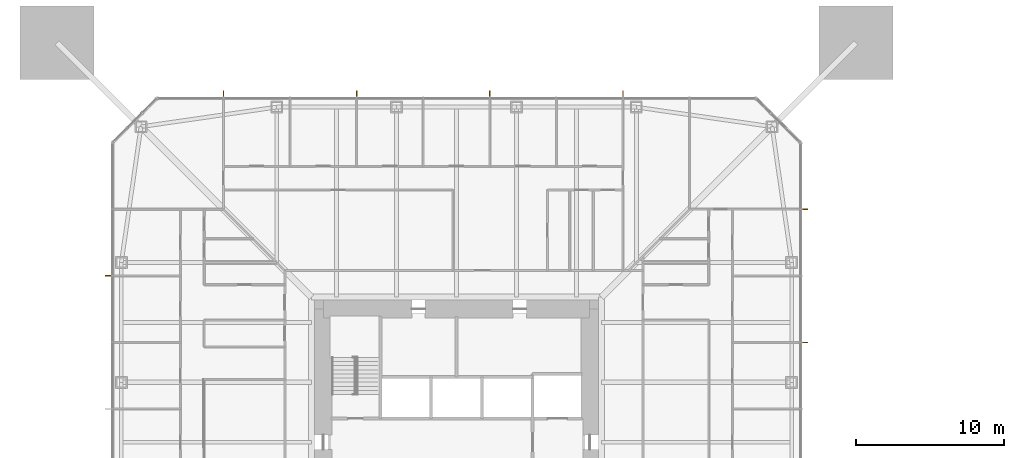
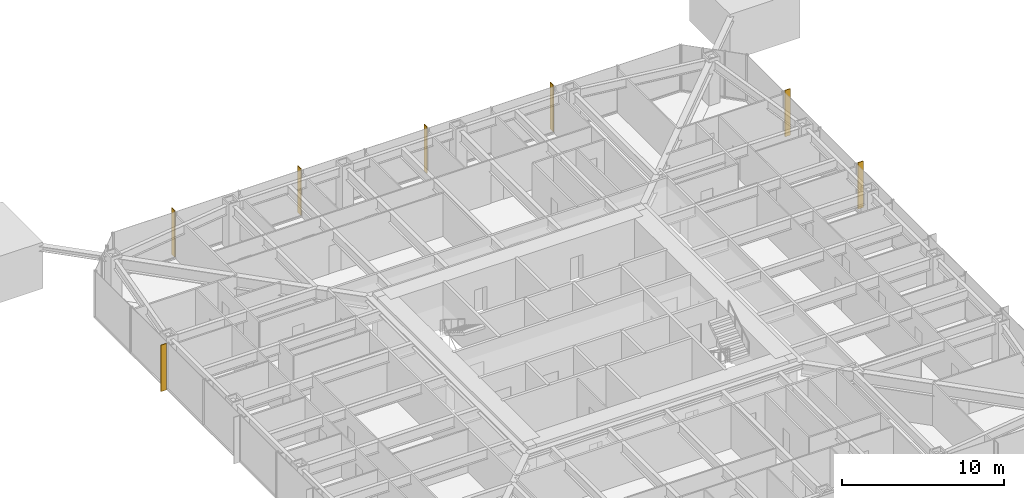
# One storey, part 25 of 26: 7 shading devices.
"""IFC4 building model written with IfcOpenShell, lengths in metres."""

from ifc_helpers import new_model, si_unit, direction, frame, origin, origin_2d, place, context, subcontext, project, spatial, rectangle, extrude, material, layer, layer_set, type_object, element, save


model = new_model("IFC4")

# Units and contexts
model_context = context("Model", 3, precision=1e-05, world=origin(), true_north=direction((0.0, 1.0)))
body_context = subcontext(model_context, "Body", "Model", "MODEL_VIEW")
ifc_project = project(units=[si_unit("LENGTHUNIT", "METRE"), si_unit("AREAUNIT", "SQUARE_METRE"), si_unit("VOLUMEUNIT", "CUBIC_METRE"), si_unit("PLANEANGLEUNIT", "RADIAN"), si_unit("MASSUNIT", "GRAM", prefix="KILO")], contexts=[model_context])

# Site, building, storey
site_placement = place(None, origin())
site = spatial("IfcSite", under=ifc_project, at=site_placement, CompositionType="ELEMENT")
building_placement = place(site_placement, origin())
building = spatial("IfcBuilding", under=site, at=building_placement, Name="Iwan Alto Co-Living Towers", CompositionType="ELEMENT")
storey_placement = place(building_placement, frame((0.0, 0.0, 29.0)))
storey = spatial("IfcBuildingStorey", under=building, at=storey_placement, Name="L07", CompositionType="ELEMENT", Elevation=29.0)

# Shading devices
ifc_material = material(Name="Aluminium 6063-T6 bronze anodised", Category="aluminium")
ifc_layer = layer(ifc_material, 0.050048828125)
ifc_layer_set = layer_set([ifc_layer], Name="BRONZE FIN 50X400")
shading_device_type = type_object("IfcShadingDeviceType", Name="BRONZE FIN 50X400", PredefinedType="USERDEFINED", material=ifc_layer_set)
for number, where, z_axis, x_axis, name in (
    (1, (23.550048828125, 6.75, 0.0), (0.0, 0.0, 1.0), (0.0, 1.0, 0.0), "Bronze fin L07"),
    (2, (23.550048828125, 15.75, 0.0), (0.0, 0.0, 1.0), (0.0, 1.0, 0.0), "Bronze fin L07"),
    (3, (11.25, 23.550048828125, 0.0), (0.0, 0.0, 1.0), (-1.0, 0.0, 0.0), "Bronze fin L07"),
    (4, (2.25, 23.550048828125, 0.0), (0.0, 0.0, 1.0), (-1.0, 0.0, 0.0), "Bronze fin L07"),
    (5, (-6.75, 23.550048828125, 0.0), (0.0, 0.0, 1.0), (-1.0, 0.0, 0.0), "Bronze fin L07"),
    (6, (-15.75, 23.550048828125, 0.0), (0.0, 0.0, 1.0), (-1.0, 0.0, 0.0), "Bronze fin L07"),
    (7, (-23.550048828125, 11.25, 0.0), (0.0, 0.0, 1.0), (0.0, -1.0, 0.0), "Bronze fin L07"),
):
    element("IfcShadingDevice", number, at=place(storey_placement, frame(where, z_axis=z_axis, x_axis=x_axis)), inside=storey, type_object=shading_device_type, Name=name, ObjectType="LOUVER", PredefinedType="USERDEFINED", context=body_context, shape_type="SweptSolid", body=[
        extrude(rectangle(XDim=0.050048828125, YDim=0.39990234375, at=origin_2d()), origin(), (0.0, 0.0, 1.0), 3.5),
    ])

save(model, "model.ifc")
